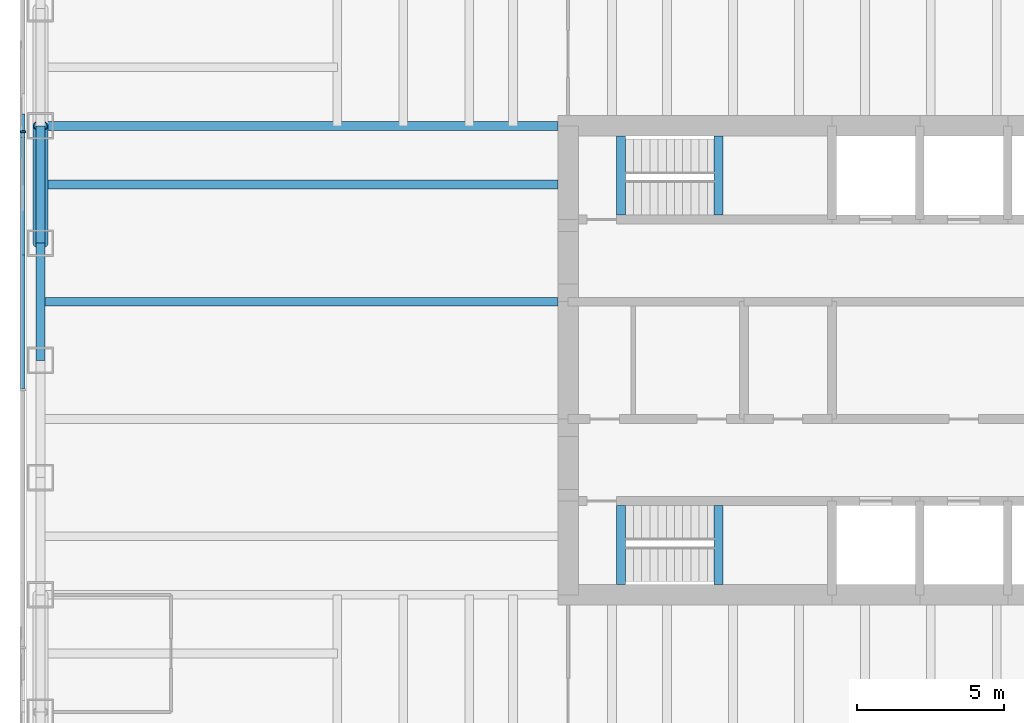
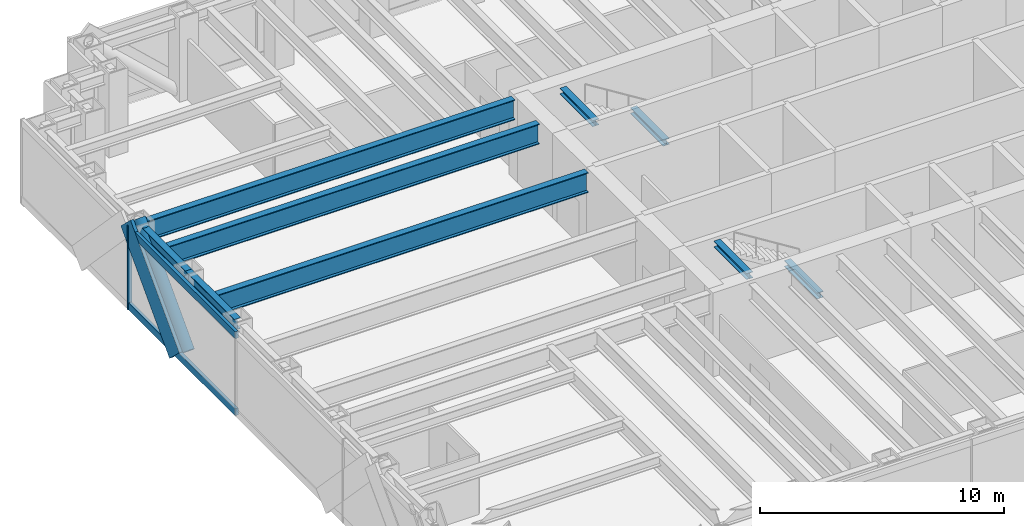
# One storey, part 3 of 17: 9 beams, 5 members, 1 element without a shape of its own.
"""IFC4 building model written with IfcOpenShell, lengths in metres."""

from ifc_helpers import new_model, si_unit, direction, frame, origin, origin_2d, place, context, subcontext, project, spatial, rectangle, hollow_circle, i_section, extrude, material, material_profile, profile_set, type_object, element, aggregate, save


model = new_model("IFC4")

# Units and contexts
model_context = context("Model", 3, precision=1e-05, world=origin(), true_north=direction((0.0, 1.0)))
body_context = subcontext(model_context, "Body", "Model", "MODEL_VIEW")
ifc_project = project(units=[si_unit("LENGTHUNIT", "METRE"), si_unit("AREAUNIT", "SQUARE_METRE"), si_unit("VOLUMEUNIT", "CUBIC_METRE"), si_unit("PLANEANGLEUNIT", "RADIAN"), si_unit("MASSUNIT", "GRAM", prefix="KILO")], contexts=[model_context])

# Site, building, storey
site_placement = place(None, origin())
site = spatial("IfcSite", under=ifc_project, at=site_placement, CompositionType="ELEMENT")
building_placement = place(site_placement, origin())
building = spatial("IfcBuilding", under=site, at=building_placement, Name="Rheinbord Bourse Tower", CompositionType="ELEMENT")
storey_placement = place(building_placement, frame((0.0, 0.0, 300.5)))
storey = spatial("IfcBuildingStorey", under=building, at=storey_placement, Name="L68", CompositionType="ELEMENT", Elevation=300.5)

# Curtain wall, members
ifc_material_1 = material(Name="Dark glass and black aluminium", Category="aluminium")
curtain_wall_type = type_object("IfcCurtainWallType", Name="CW3 DARK GLASS CURTAIN WALL", PredefinedType="USERDEFINED", material=ifc_material_1)
curtain_wall_placement = place(storey_placement, origin())
curtain_wall = element("IfcCurtainWall", 1, at=curtain_wall_placement, inside=storey, type_object=curtain_wall_type, Name="Curtain wall CW3 W L68", ObjectType="UNITISED CURTAIN WALL", PredefinedType="USERDEFINED")
ifc_material_2 = material(Name="Black anodised aluminium", Category="aluminium")
ifc_material_profile_1 = material_profile(ifc_material_2, rectangle(XDim=0.14990234375, YDim=1.10791015625, at=origin_2d()), Name="CW3 DIAGONAL MULLION 1108x150")
ifc_profile_set_1 = profile_set([ifc_material_profile_1], Name="Black anodised aluminium")
member_type_1 = type_object("IfcMemberType", Name="CW3 BLACK DIAGONAL MULLION", PredefinedType="USERDEFINED", material=ifc_profile_set_1)
member_1_placement = place(storey_placement, frame((-0.60009765625, 28.0, 0.0), z_axis=(0.0, 0.689659376744, 0.724133926887), x_axis=(-1.0, 0.0, 0.0)))
member_1 = element("IfcMember", 2, at=member_1_placement, type_object=member_type_1, Name="CW3 diagonal mullion b", ObjectType="DIAGONAL MULLION", PredefinedType="USERDEFINED", context=body_context, shape_type="SweptSolid", body=[
    extrude(rectangle(XDim=0.14990234375, YDim=1.10791015625, at=origin_2d()), origin(), (0.0, 0.0, 1.0), 5.800048828125),
])
ifc_material_3 = material(Name="Black anodised aluminium", Category="aluminium")
ifc_material_profile_2 = material_profile(ifc_material_3, rectangle(XDim=0.199951171875, YDim=0.06494140625, at=origin_2d()), Name="CW3 MULLION 65x200")
ifc_profile_set_2 = profile_set([ifc_material_profile_2], Name="Black anodised aluminium")
member_type_2 = type_object("IfcMemberType", Name="CW3 BLACK MULLION", PredefinedType="MULLION", material=ifc_profile_set_2)
member_2_placement = place(storey_placement, frame((-0.60009765625, 31.800048828125, 0.0), z_axis=(0.0, 0.0, 1.0), x_axis=(1.0, 0.0, 0.0)))
member_2 = element("IfcMember", 3, at=member_2_placement, type_object=member_type_2, Name="CW3 mullion 2", PredefinedType="MULLION", context=body_context, shape_type="SweptSolid", body=[
    extrude(rectangle(XDim=0.199951171875, YDim=0.06494140625, at=origin_2d()), origin(), (0.0, 0.0, 1.0), 4.199951171875),
])
ifc_material_4 = material(Name="Black anodised aluminium", Category="aluminium")
ifc_material_profile_3 = material_profile(ifc_material_4, rectangle(XDim=0.14990234375, YDim=0.35009765625, at=origin_2d()), Name="CW3 TRANSOM 350x150")
ifc_profile_set_3 = profile_set([ifc_material_profile_3], Name="Black anodised aluminium")
member_type_3 = type_object("IfcMemberType", Name="CW3 BLACK TRANSOM", PredefinedType="USERDEFINED", material=ifc_profile_set_3)
member_3_placement = place(storey_placement, frame((-0.60009765625, 31.767578125, 0.175048828125), z_axis=(0.0, -1.0, 0.0), x_axis=(1.0, 0.0, 0.0)))
member_3 = element("IfcMember", 4, at=member_3_placement, type_object=member_type_3, Name="CW3 transom 2.1", ObjectType="TRANSOM", PredefinedType="USERDEFINED", context=body_context, shape_type="SweptSolid", body=[
    extrude(rectangle(XDim=0.14990234375, YDim=0.35009765625, at=origin_2d()), origin(), (0.0, 0.0, 1.0), 8.735107421875),
])
member_4_placement = place(storey_placement, frame((-0.60009765625, 31.767578125, 4.02490234375), z_axis=(0.0, -1.0, 0.0), x_axis=(1.0, 0.0, 0.0)))
member_4 = element("IfcMember", 5, at=member_4_placement, type_object=member_type_3, Name="CW3 transom 2.2", ObjectType="TRANSOM", PredefinedType="USERDEFINED", context=body_context, shape_type="SweptSolid", body=[
    extrude(rectangle(XDim=0.14990234375, YDim=0.35009765625, at=origin_2d()), origin(), (0.0, 0.0, 1.0), 8.735107421875),
])
aggregate(curtain_wall, [member_2, member_3, member_4, member_1])

# Beams
ifc_material_5 = material(Name="Steel S460", Category="steel")
ifc_material_profile_4 = material_profile(ifc_material_5, i_section(OverallWidth=0.302001953125, OverallDepth=1.008056640625, WebThickness=0.02099609375, FlangeThickness=0.0400390625, at=origin_2d()), Name="HEM 1000")
ifc_profile_set_4 = profile_set([ifc_material_profile_4], Name="Steel S460")
beam_type_1 = type_object("IfcBeamType", Name="END BEAM HEM 1000", PredefinedType="BEAM", material=ifc_profile_set_4)
for number, where, z_axis, x_axis, name in (
    (6, (0.0, 26.0, 3.535888671875), (1.0, 0.0, 0.0), (0.0, 1.0, 0.0), "End beam west 26 L69"),
    (7, (0.0, 30.0, 3.535888671875), (1.0, 0.0, 0.0), (0.0, 1.0, 0.0), "End beam west 30 L69"),
):
    element("IfcBeam", number, at=place(storey_placement, frame(where, z_axis=z_axis, x_axis=x_axis)), inside=storey, type_object=beam_type_1, Name=name, PredefinedType="BEAM", context=body_context, shape_type="SweptSolid", body=[
        extrude(i_section(OverallWidth=0.302001953125, OverallDepth=1.008056640625, WebThickness=0.02099609375, FlangeThickness=0.0400390625, at=origin_2d()), origin(), (0.0, 0.0, 1.0), 17.64990234375),
    ])
ifc_material_6 = material(Name="Steel S460", Category="steel")
ifc_material_profile_5 = material_profile(ifc_material_6, i_section(OverallWidth=0.302001953125, OverallDepth=1.008056640625, WebThickness=0.02099609375, FlangeThickness=0.0400390625, at=origin_2d()), Name="HEM 1000")
ifc_profile_set_5 = profile_set([ifc_material_profile_5], Name="Steel S460")
beam_type_2 = type_object("IfcBeamType", Name="GIRDER HEM 1000", PredefinedType="BEAM", material=ifc_profile_set_5)
beam_placement = place(storey_placement, frame((0.0, 32.0, 3.535888671875), z_axis=(1.0, 0.0, 0.0), x_axis=(0.0, 1.0, 0.0)))
element("IfcBeam", 8, at=beam_placement, inside=storey, type_object=beam_type_2, Name="Girder west 32 L69", PredefinedType="BEAM", context=body_context, shape_type="SweptSolid", body=[
    extrude(i_section(OverallWidth=0.302001953125, OverallDepth=1.008056640625, WebThickness=0.02099609375, FlangeThickness=0.0400390625, at=origin_2d()), origin(), (0.0, 0.0, 1.0), 17.64990234375),
])
ifc_material_7 = material(Name="Steel S460", Category="steel")
ifc_material_profile_6 = material_profile(ifc_material_7, i_section(OverallWidth=0.300048828125, OverallDepth=0.300048828125, WebThickness=0.010986328125, FlangeThickness=0.01904296875, at=origin_2d()), Name="HEB 300")
ifc_profile_set_6 = profile_set([ifc_material_profile_6], Name="Steel S460")
beam_type_3 = type_object("IfcBeamType", Name="LANDING TRIMMER HEB 300", PredefinedType="BEAM", material=ifc_profile_set_6)
for number, where, z_axis, x_axis, name in (
    (9, (23.1298828125, 16.35009765625, 1.75), (0.0, 1.0, 0.0), (-1.0, 0.0, 0.0), "Landing trimmer ST1 L68"),
    (10, (19.800048828125, 16.35009765625, 3.889892578125), (0.0, 1.0, 0.0), (-1.0, 0.0, 0.0), "Well trimmer ST1 under L69"),
    (11, (23.1298828125, 28.949951171875, 1.75), (0.0, 1.0, 0.0), (-1.0, 0.0, 0.0), "Landing trimmer ST2 L68"),
    (12, (19.800048828125, 28.949951171875, 3.889892578125), (0.0, 1.0, 0.0), (-1.0, 0.0, 0.0), "Well trimmer ST2 under L69"),
):
    element("IfcBeam", number, at=place(storey_placement, frame(where, z_axis=z_axis, x_axis=x_axis)), inside=storey, type_object=beam_type_3, Name=name, PredefinedType="BEAM", context=body_context, shape_type="SweptSolid", body=[
        extrude(i_section(OverallWidth=0.300048828125, OverallDepth=0.300048828125, WebThickness=0.010986328125, FlangeThickness=0.01904296875, at=origin_2d()), origin(), (0.0, 0.0, 1.0), 2.699951171875),
    ])

# Member
ifc_material_8 = material(Name="Steel S460", Category="steel")
ifc_material_profile_7 = material_profile(ifc_material_8, hollow_circle(Radius=0.25390625, WallThickness=0.030029296875, at=origin_2d()), Name="CHS 508x30")
ifc_profile_set_7 = profile_set([ifc_material_profile_7], Name="Steel S460")
member_type_4 = type_object("IfcMemberType", Name="MEGABRACE CHS 508x30", PredefinedType="BRACE", material=ifc_profile_set_7)
member_5_placement = place(storey_placement, frame((0.0, 28.0, 0.0), z_axis=(0.0, 0.689659376744, 0.724133926887), x_axis=(-1.0, 0.0, 0.0)))
element("IfcMember", 13, at=member_5_placement, inside=storey, type_object=member_type_4, Name="Megabrace W face line b L68", PredefinedType="BRACE", context=body_context, shape_type="SweptSolid", body=[
    extrude(hollow_circle(Radius=0.25390625, WallThickness=0.030029296875, at=origin_2d()), origin(), (0.0, 0.0, 1.0), 5.800048828125),
])

# Beams
ifc_material_9 = material(Name="Steel S460", Category="steel")
ifc_material_profile_8 = material_profile(ifc_material_9, i_section(OverallWidth=0.300048828125, OverallDepth=0.550048828125, WebThickness=0.014892578125, FlangeThickness=0.029052734375, at=origin_2d()), Name="HEB 550")
ifc_profile_set_8 = profile_set([ifc_material_profile_8], Name="Steel S460")
beam_type_4 = type_object("IfcBeamType", Name="SPANDREL HEB 550", PredefinedType="SPANDREL", material=ifc_profile_set_8)
for number, where, z_axis, x_axis, name in (
    (14, (0.0, 32.0, 3.764892578125), (0.0, -1.0, 0.0), (1.0, 0.0, 0.0), "Spandrel W-32-W-28 under L69"),
    (15, (0.0, 28.0, 3.764892578125), (0.0, -1.0, 0.0), (1.0, 0.0, 0.0), "Spandrel W-28-W-24 under L69"),
):
    element("IfcBeam", number, at=place(storey_placement, frame(where, z_axis=z_axis, x_axis=x_axis)), inside=storey, type_object=beam_type_4, Name=name, PredefinedType="SPANDREL", context=body_context, shape_type="SweptSolid", body=[
        extrude(i_section(OverallWidth=0.300048828125, OverallDepth=0.550048828125, WebThickness=0.014892578125, FlangeThickness=0.029052734375, at=origin_2d()), origin(), (0.0, 0.0, 1.0), 4.0),
    ])

save(model, "model.ifc")
